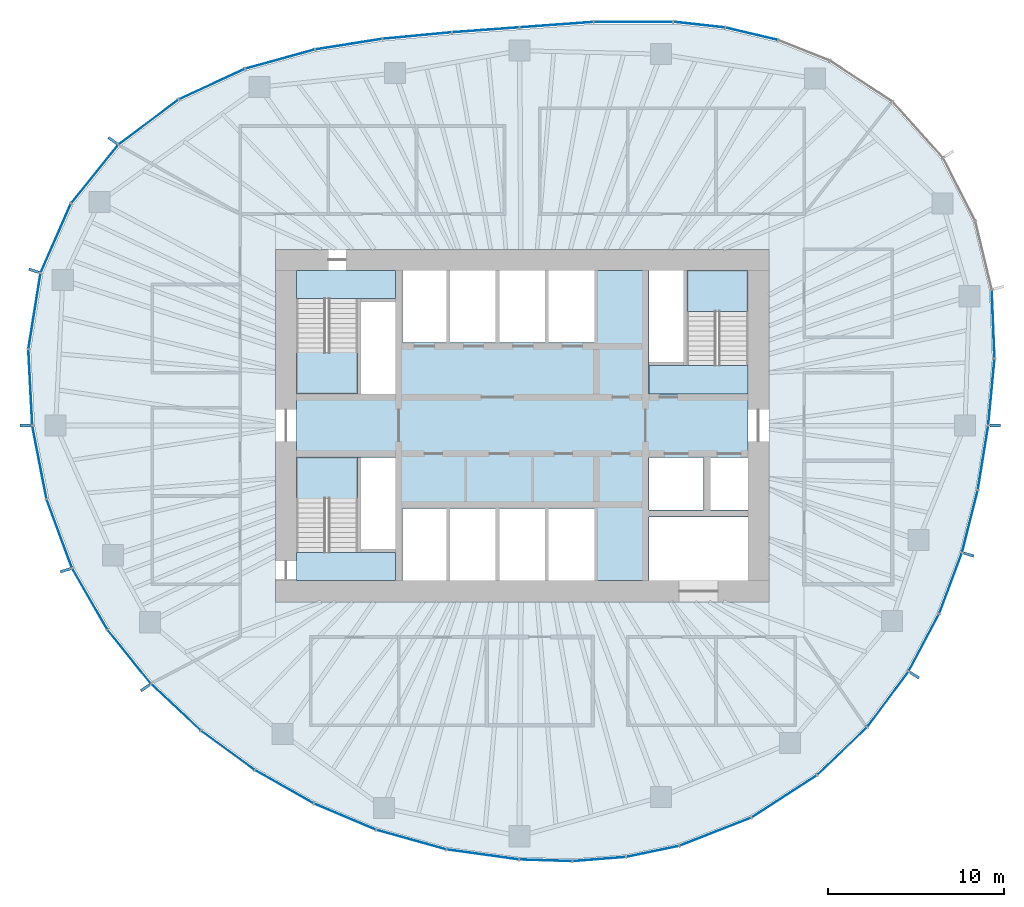
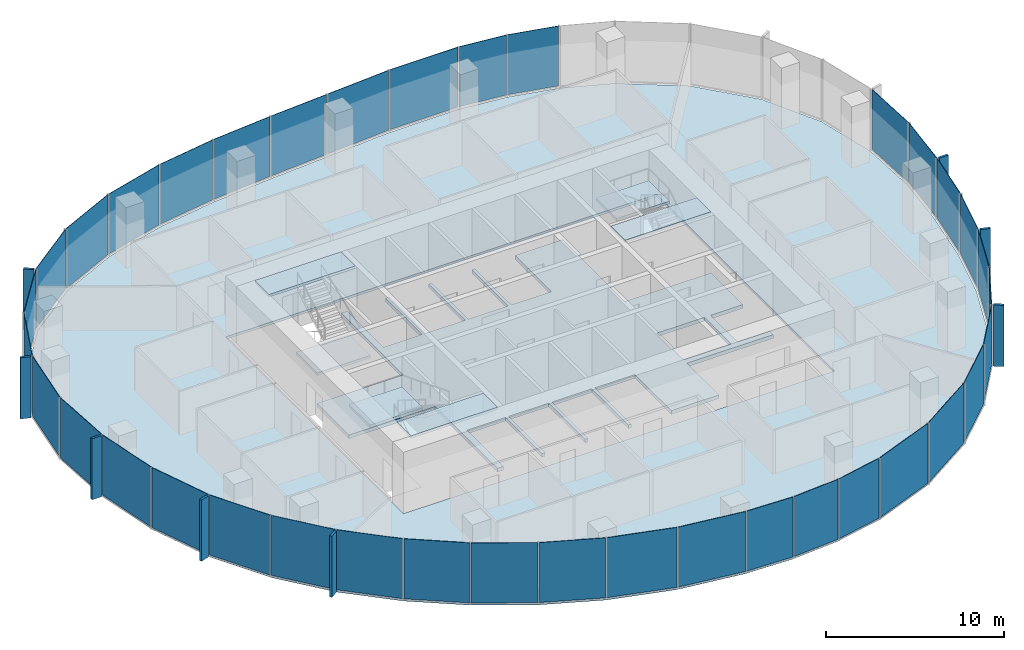
# One storey, part 7 of 12: 45 plates, 8 slabs, 21 elements without a shape of their own.
"""IFC4 building model written with IfcOpenShell, lengths in metres."""

from ifc_helpers import new_model, si_unit, direction, frame, origin, origin_2d, place, context, subcontext, project, spatial, polyline, rectangle, outline, extrude, material, layer, layer_set, type_object, element, aggregate, save


model = new_model("IFC4")

# Units and contexts
model_context = context("Model", 3, precision=1e-05, world=origin(), true_north=direction((0.0, 1.0)))
body_context = subcontext(model_context, "Body", "Model", "MODEL_VIEW")
ifc_project = project(units=[si_unit("LENGTHUNIT", "METRE"), si_unit("AREAUNIT", "SQUARE_METRE"), si_unit("VOLUMEUNIT", "CUBIC_METRE"), si_unit("PLANEANGLEUNIT", "RADIAN"), si_unit("MASSUNIT", "GRAM", prefix="KILO")], contexts=[model_context])

# Site, building, storey
site_placement = place(None, origin())
site = spatial("IfcSite", under=ifc_project, at=site_placement, CompositionType="ELEMENT")
building_placement = place(site_placement, origin())
building = spatial("IfcBuilding", under=site, at=building_placement, Name="Ghaith Harvest Tower", CompositionType="ELEMENT")
storey_placement = place(building_placement, frame((0.0, 0.0, 253.60009765625)))
storey = spatial("IfcBuildingStorey", under=building, at=storey_placement, Name="L56", CompositionType="ELEMENT", Elevation=253.60009765625)

# Curtain wall, plates
ifc_material_1 = material(Name="Black anodised aluminium and fritted glass", Category="aluminium")
curtain_wall_type = type_object("IfcCurtainWallType", Name="CW-H CURTAIN WALL", PredefinedType="NOTDEFINED", material=ifc_material_1)
curtain_wall_1_placement = place(storey_placement, origin())
curtain_wall_1 = element("IfcCurtainWall", 1, at=curtain_wall_1_placement, inside=storey, type_object=curtain_wall_type, Name="Curtain wall CW-H bay 01 L56", PredefinedType="NOTDEFINED")
ifc_material_2 = material(Name="Glass, dark solar-control fritted double glazed unit", Category="glass")
ifc_layer_1 = layer(ifc_material_2, 0.030029296875)
ifc_layer_set_1 = layer_set([ifc_layer_1], Name="CW-H VISION PANEL")
plate_type_1 = type_object("IfcPlateType", Name="CW-H VISION PANEL", PredefinedType="CURTAIN_PANEL", material=ifc_layer_set_1)
plate_1_placement = place(storey_placement, frame((26.624755859375, 1.89794921875, 0.079833984375), z_axis=(0.0, 0.0, 1.0), x_axis=(0.094301909937, 0.995543645343, 0.0)))
plate_1 = element("IfcPlate", 2, at=plate_1_placement, type_object=plate_type_1, Name="CW-H glass unit 1 bay 01 L56", PredefinedType="CURTAIN_PANEL", context=body_context, shape_type="SweptSolid", body=[
    extrude(rectangle(XDim=3.73291015625, YDim=0.030029296875, at=origin_2d()), origin(), (0.0, 0.0, 1.0), 4.1201171875),
])
plate_2_placement = place(storey_placement, frame((26.7255859375, 5.74853515625, 0.079833984375), z_axis=(0.0, 0.0, 1.0), x_axis=(-0.040462173218, 0.999181070947, 0.0)))
plate_2 = element("IfcPlate", 3, at=plate_2_placement, type_object=plate_type_1, Name="CW-H glass unit 2 bay 01 L56", PredefinedType="CURTAIN_PANEL", context=body_context, shape_type="SweptSolid", body=[
    extrude(rectangle(XDim=3.82861328125, YDim=0.030029296875, at=origin_2d()), origin(), (0.0, 0.0, 1.0), 4.1201171875),
])
aggregate(curtain_wall_1, [plate_1, plate_2])

curtain_wall_2_placement = place(storey_placement, origin())
curtain_wall_2 = element("IfcCurtainWall", 4, at=curtain_wall_2_placement, inside=storey, type_object=curtain_wall_type, Name="Curtain wall CW-H bay 04 L56", PredefinedType="NOTDEFINED")
plate_3_placement = place(storey_placement, frame((13.027099609375, 22.225341796875, 0.079833984375), z_axis=(0.0, 0.0, 1.0), x_axis=(-0.973266235028, 0.229679854916, 0.0)))
plate_3 = element("IfcPlate", 5, at=plate_3_placement, type_object=plate_type_1, Name="CW-H glass unit 2 bay 04 L56", PredefinedType="CURTAIN_PANEL", context=body_context, shape_type="SweptSolid", body=[
    extrude(rectangle(XDim=3.00244140625, YDim=0.030029296875, at=origin_2d()), origin(), (0.0, 0.0, 1.0), 4.1201171875),
])
plate_4_placement = place(storey_placement, frame((10.045654296875, 22.744384765625, 0.079833984375), z_axis=(0.0, 0.0, 1.0), x_axis=(-0.993865217442, 0.11059805405, 0.0)))
plate_4 = element("IfcPlate", 6, at=plate_4_placement, type_object=plate_type_1, Name="CW-H glass unit 3 bay 04 L56", PredefinedType="CURTAIN_PANEL", context=body_context, shape_type="SweptSolid", body=[
    extrude(rectangle(XDim=2.901123046875, YDim=0.030029296875, at=origin_2d()), origin(), (0.0, 0.0, 1.0), 4.1201171875),
])
aggregate(curtain_wall_2, [plate_3, plate_4])

curtain_wall_3_placement = place(storey_placement, origin())
curtain_wall_3 = element("IfcCurtainWall", 7, at=curtain_wall_3_placement, inside=storey, type_object=curtain_wall_type, Name="Curtain wall CW-H bay 05 L56", PredefinedType="NOTDEFINED")
plate_5_placement = place(storey_placement, frame((6.31201171875, 22.904296875, 0.079833984375), z_axis=(0.0, 0.0, 1.0), x_axis=(-0.999997643645, -0.002170876291, 0.0)))
plate_5 = element("IfcPlate", 8, at=plate_5_placement, type_object=plate_type_1, Name="CW-H glass unit 1 bay 05 L56", PredefinedType="CURTAIN_PANEL", context=body_context, shape_type="SweptSolid", body=[
    extrude(rectangle(XDim=4.4248046875, YDim=0.030029296875, at=origin_2d()), origin(), (0.0, 0.0, 1.0), 4.1201171875),
])
plate_6_placement = place(storey_placement, frame((1.952392578125, 22.744873046875, 0.079833984375), z_axis=(0.0, 0.0, 1.0), x_axis=(-0.997324570719, -0.073100619976, 0.0)))
plate_6 = element("IfcPlate", 9, at=plate_6_placement, type_object=plate_type_1, Name="CW-H glass unit 2 bay 05 L56", PredefinedType="CURTAIN_PANEL", context=body_context, shape_type="SweptSolid", body=[
    extrude(rectangle(XDim=4.1455078125, YDim=0.030029296875, at=origin_2d()), origin(), (0.0, 0.0, 1.0), 4.1201171875),
])
aggregate(curtain_wall_3, [plate_5, plate_6])

curtain_wall_4_placement = place(storey_placement, origin())
curtain_wall_4 = element("IfcCurtainWall", 10, at=curtain_wall_4_placement, inside=storey, type_object=curtain_wall_type, Name="Curtain wall CW-H bay 06 L56", PredefinedType="NOTDEFINED")
plate_7_placement = place(storey_placement, frame((-2.0693359375, 22.450439453125, 0.079833984375), z_axis=(0.0, 0.0, 1.0), x_axis=(-0.997334393671, -0.072966479985, 0.0)))
plate_7 = element("IfcPlate", 11, at=plate_7_placement, type_object=plate_type_1, Name="CW-H glass unit 1 bay 06 L56", PredefinedType="CURTAIN_PANEL", context=body_context, shape_type="SweptSolid", body=[
    extrude(rectangle(XDim=3.759765625, YDim=0.030029296875, at=origin_2d()), origin(), (0.0, 0.0, 1.0), 4.1201171875),
])
plate_8_placement = place(storey_placement, frame((-5.954345703125, 22.12548828125, 0.079833984375), z_axis=(0.0, 0.0, 1.0), x_axis=(-0.995631991968, -0.093364535934, 0.0)))
plate_8 = element("IfcPlate", 12, at=plate_8_placement, type_object=plate_type_1, Name="CW-H glass unit 2 bay 06 L56", PredefinedType="CURTAIN_PANEL", context=body_context, shape_type="SweptSolid", body=[
    extrude(rectangle(XDim=3.87744140625, YDim=0.030029296875, at=origin_2d()), origin(), (0.0, 0.0, 1.0), 4.1201171875),
])
aggregate(curtain_wall_4, [plate_7, plate_8])

curtain_wall_5_placement = place(storey_placement, origin())
curtain_wall_5 = element("IfcCurtainWall", 13, at=curtain_wall_5_placement, inside=storey, type_object=curtain_wall_type, Name="Curtain wall CW-H bay 07 L56", PredefinedType="NOTDEFINED")
plate_9_placement = place(storey_placement, frame((-9.83837890625, 21.638671875, 0.079833984375), z_axis=(0.0, 0.0, 1.0), x_axis=(-0.98777033338, -0.155915901993, 0.0)))
plate_9 = element("IfcPlate", 14, at=plate_9_placement, type_object=plate_type_1, Name="CW-H glass unit 1 bay 07 L56", PredefinedType="CURTAIN_PANEL", context=body_context, shape_type="SweptSolid", body=[
    extrude(rectangle(XDim=3.795166015625, YDim=0.030029296875, at=origin_2d()), origin(), (0.0, 0.0, 1.0), 4.1201171875),
])
plate_10_placement = place(storey_placement, frame((-13.736572265625, 20.78955078125, 0.079833984375), z_axis=(0.0, 0.0, 1.0), x_axis=(-0.964034113875, -0.26577853052, 0.0)))
plate_10 = element("IfcPlate", 15, at=plate_10_placement, type_object=plate_type_1, Name="CW-H glass unit 2 bay 07 L56", PredefinedType="CURTAIN_PANEL", context=body_context, shape_type="SweptSolid", body=[
    extrude(rectangle(XDim=4.03662109375, YDim=0.030029296875, at=origin_2d()), origin(), (0.0, 0.0, 1.0), 4.1201171875),
])
aggregate(curtain_wall_5, [plate_9, plate_10])

curtain_wall_6_placement = place(storey_placement, origin())
curtain_wall_6 = element("IfcCurtainWall", 16, at=curtain_wall_6_placement, inside=storey, type_object=curtain_wall_type, Name="Curtain wall CW-H bay 08 L56", PredefinedType="NOTDEFINED")
plate_11_placement = place(storey_placement, frame((-17.608154296875, 19.370849609375, 0.079833984375), z_axis=(0.0, 0.0, 1.0), x_axis=(-0.907814470414, -0.419372015408, 0.0)))
plate_11 = element("IfcPlate", 17, at=plate_11_placement, type_object=plate_type_1, Name="CW-H glass unit 1 bay 08 L56", PredefinedType="CURTAIN_PANEL", context=body_context, shape_type="SweptSolid", body=[
    extrude(rectangle(XDim=4.077392578125, YDim=0.030029296875, at=origin_2d()), origin(), (0.0, 0.0, 1.0), 4.1201171875),
])
plate_12_placement = place(storey_placement, frame((-21.20166015625, 17.219482421875, 0.079833984375), z_axis=(0.0, 0.0, 1.0), x_axis=(-0.800067053187, -0.599910585341, 0.0)))
plate_12 = element("IfcPlate", 18, at=plate_12_placement, type_object=plate_type_1, Name="CW-H glass unit 2 bay 08 L56", PredefinedType="CURTAIN_PANEL", context=body_context, shape_type="SweptSolid", body=[
    extrude(rectangle(XDim=4.18603515625, YDim=0.030029296875, at=origin_2d()), origin(), (0.0, 0.0, 1.0), 4.1201171875),
])
aggregate(curtain_wall_6, [plate_11, plate_12])

curtain_wall_7_placement = place(storey_placement, origin())
curtain_wall_7 = element("IfcCurtainWall", 19, at=curtain_wall_7_placement, inside=storey, type_object=curtain_wall_type, Name="Curtain wall CW-H bay 09 L56", PredefinedType="NOTDEFINED")
plate_13_placement = place(storey_placement, frame((-24.25390625, 14.270263671875, 0.079833984375), z_axis=(0.0, 0.0, 1.0), x_axis=(-0.627547637499, -0.778578167347, 0.0)))
plate_13 = element("IfcPlate", 20, at=plate_13_placement, type_object=plate_type_1, Name="CW-H glass unit 1 bay 09 L56", PredefinedType="CURTAIN_PANEL", context=body_context, shape_type="SweptSolid", body=[
    extrude(rectangle(XDim=4.208740234375, YDim=0.030029296875, at=origin_2d()), origin(), (0.0, 0.0, 1.0), 4.1201171875),
])
plate_14_placement = place(storey_placement, frame((-26.462646484375, 10.63037109375, 0.079833984375), z_axis=(0.0, 0.0, 1.0), x_axis=(-0.40121291108, -0.915984825192, 0.0)))
plate_14 = element("IfcPlate", 21, at=plate_14_placement, type_object=plate_type_1, Name="CW-H glass unit 2 bay 09 L56", PredefinedType="CURTAIN_PANEL", context=body_context, shape_type="SweptSolid", body=[
    extrude(rectangle(XDim=4.22216796875, YDim=0.030029296875, at=origin_2d()), origin(), (0.0, 0.0, 1.0), 4.1201171875),
])
aggregate(curtain_wall_7, [plate_13, plate_14])

curtain_wall_8_placement = place(storey_placement, origin())
curtain_wall_8 = element("IfcCurtainWall", 22, at=curtain_wall_8_placement, inside=storey, type_object=curtain_wall_type, Name="Curtain wall CW-H bay 10 L56", PredefinedType="NOTDEFINED")
plate_15_placement = place(storey_placement, frame((-27.670654296875, 6.49658203125, 0.079833984375), z_axis=(0.0, 0.0, 1.0), x_axis=(-0.157514341695, -0.987516699687, 0.0)))
plate_15 = element("IfcPlate", 23, at=plate_15_placement, type_object=plate_type_1, Name="CW-H glass unit 1 bay 10 L56", PredefinedType="CURTAIN_PANEL", context=body_context, shape_type="SweptSolid", body=[
    extrude(rectangle(XDim=4.301513671875, YDim=0.030029296875, at=origin_2d()), origin(), (0.0, 0.0, 1.0), 4.1201171875),
])
plate_16_placement = place(storey_placement, frame((-27.905517578125, 2.16650390625, 0.079833984375), z_axis=(0.0, 0.0, 1.0), x_axis=(0.050894857592, -0.998704016949, 0.0)))
plate_16 = element("IfcPlate", 24, at=plate_16_placement, type_object=plate_type_1, Name="CW-H glass unit 2 bay 10 L56", PredefinedType="CURTAIN_PANEL", context=body_context, shape_type="SweptSolid", body=[
    extrude(rectangle(XDim=4.2587890625, YDim=0.030029296875, at=origin_2d()), origin(), (0.0, 0.0, 1.0), 4.1201171875),
])
aggregate(curtain_wall_8, [plate_15, plate_16])

curtain_wall_9_placement = place(storey_placement, origin())
curtain_wall_9 = element("IfcCurtainWall", 25, at=curtain_wall_9_placement, inside=storey, type_object=curtain_wall_type, Name="Curtain wall CW-H bay 11 L56", PredefinedType="NOTDEFINED")
plate_17_placement = place(storey_placement, frame((-27.39013671875, -2.0869140625, 0.079833984375), z_axis=(0.0, 0.0, 1.0), x_axis=(0.190426809322, -0.981701395686, 0.0)))
plate_17 = element("IfcPlate", 26, at=plate_17_placement, type_object=plate_type_1, Name="CW-H glass unit 1 bay 11 L56", PredefinedType="CURTAIN_PANEL", context=body_context, shape_type="SweptSolid", body=[
    extrude(rectangle(XDim=4.171630859375, YDim=0.030029296875, at=origin_2d()), origin(), (0.0, 0.0, 1.0), 4.1201171875),
])
plate_18_placement = place(storey_placement, frame((-26.261962890625, -6.1337890625, 0.079833984375), z_axis=(0.0, 0.0, 1.0), x_axis=(0.346303431688, -0.938122557666, 0.0)))
plate_18 = element("IfcPlate", 27, at=plate_18_placement, type_object=plate_type_1, Name="CW-H glass unit 2 bay 11 L56", PredefinedType="CURTAIN_PANEL", context=body_context, shape_type="SweptSolid", body=[
    extrude(rectangle(XDim=4.098388671875, YDim=0.030029296875, at=origin_2d()), origin(), (0.0, 0.0, 1.0), 4.1201171875),
])
aggregate(curtain_wall_9, [plate_17, plate_18])

curtain_wall_10_placement = place(storey_placement, origin())
curtain_wall_10 = element("IfcCurtainWall", 28, at=curtain_wall_10_placement, inside=storey, type_object=curtain_wall_type, Name="Curtain wall CW-H bay 12 L56", PredefinedType="NOTDEFINED")
plate_19_placement = place(storey_placement, frame((-24.535888671875, -9.838623046875, 0.079833984375), z_axis=(0.0, 0.0, 1.0), x_axis=(0.49818018945, -0.867073525625, 0.0)))
plate_19 = element("IfcPlate", 29, at=plate_19_placement, type_object=plate_type_1, Name="CW-H glass unit 1 bay 12 L56", PredefinedType="CURTAIN_PANEL", context=body_context, shape_type="SweptSolid", body=[
    extrude(rectangle(XDim=3.945068359375, YDim=0.030029296875, at=origin_2d()), origin(), (0.0, 0.0, 1.0), 4.1201171875),
])
plate_20_placement = place(storey_placement, frame((-22.29736328125, -13.119140625, 0.079833984375), z_axis=(0.0, 0.0, 1.0), x_axis=(0.626957061695, -0.779053812513, 0.0)))
plate_20 = element("IfcPlate", 30, at=plate_20_placement, type_object=plate_type_1, Name="CW-H glass unit 2 bay 12 L56", PredefinedType="CURTAIN_PANEL", context=body_context, shape_type="SweptSolid", body=[
    extrude(rectangle(XDim=3.8623046875, YDim=0.030029296875, at=origin_2d()), origin(), (0.0, 0.0, 1.0), 4.1201171875),
])
aggregate(curtain_wall_10, [plate_19, plate_20])

curtain_wall_11_placement = place(storey_placement, origin())
curtain_wall_11 = element("IfcCurtainWall", 31, at=curtain_wall_11_placement, inside=storey, type_object=curtain_wall_type, Name="Curtain wall CW-H bay 13 L56", PredefinedType="NOTDEFINED")
plate_21_placement = place(storey_placement, frame((-19.649658203125, -15.98046875, 0.079833984375), z_axis=(0.0, 0.0, 1.0), x_axis=(0.729016864325, -0.684495735217, 0.0)))
plate_21 = element("IfcPlate", 32, at=plate_21_placement, type_object=plate_type_1, Name="CW-H glass unit 1 bay 13 L56", PredefinedType="CURTAIN_PANEL", context=body_context, shape_type="SweptSolid", body=[
    extrude(rectangle(XDim=3.793212890625, YDim=0.030029296875, at=origin_2d()), origin(), (0.0, 0.0, 1.0), 4.1201171875),
])
plate_22_placement = place(storey_placement, frame((-16.707763671875, -18.42431640625, 0.079833984375), z_axis=(0.0, 0.0, 1.0), x_axis=(0.80736351134, -0.590054370848, 0.0)))
plate_22 = element("IfcPlate", 33, at=plate_22_placement, type_object=plate_type_1, Name="CW-H glass unit 2 bay 13 L56", PredefinedType="CURTAIN_PANEL", context=body_context, shape_type="SweptSolid", body=[
    extrude(rectangle(XDim=3.710693359375, YDim=0.030029296875, at=origin_2d()), origin(), (0.0, 0.0, 1.0), 4.1201171875),
])
aggregate(curtain_wall_11, [plate_21, plate_22])

curtain_wall_12_placement = place(storey_placement, origin())
curtain_wall_12 = element("IfcCurtainWall", 34, at=curtain_wall_12_placement, inside=storey, type_object=curtain_wall_type, Name="Curtain wall CW-H bay 14 L56", PredefinedType="NOTDEFINED")
plate_23_placement = place(storey_placement, frame((-13.496337890625, -20.496826171875, 0.079833984375), z_axis=(0.0, 0.0, 1.0), x_axis=(0.869715300233, -0.493553742303, 0.0)))
plate_23 = element("IfcPlate", 35, at=plate_23_placement, type_object=plate_type_1, Name="CW-H glass unit 1 bay 14 L56", PredefinedType="CURTAIN_PANEL", context=body_context, shape_type="SweptSolid", body=[
    extrude(rectangle(XDim=3.785888671875, YDim=0.030029296875, at=origin_2d()), origin(), (0.0, 0.0, 1.0), 4.1201171875),
])
plate_24_placement = place(storey_placement, frame((-10.050537109375, -22.1962890625, 0.079833984375), z_axis=(0.0, 0.0, 1.0), x_axis=(0.921181516072, -0.389133157734, 0.0)))
plate_24 = element("IfcPlate", 36, at=plate_24_placement, type_object=plate_type_1, Name="CW-H glass unit 2 bay 14 L56", PredefinedType="CURTAIN_PANEL", context=body_context, shape_type="SweptSolid", body=[
    extrude(rectangle(XDim=3.751220703125, YDim=0.030029296875, at=origin_2d()), origin(), (0.0, 0.0, 1.0), 4.1201171875),
])
aggregate(curtain_wall_12, [plate_23, plate_24])

curtain_wall_13_placement = place(storey_placement, origin())
curtain_wall_13 = element("IfcCurtainWall", 37, at=curtain_wall_13_placement, inside=storey, type_object=curtain_wall_type, Name="Curtain wall CW-H bay 15 L56", PredefinedType="NOTDEFINED")
plate_25_placement = place(storey_placement, frame((-6.291015625, -23.49853515625, 0.079833984375), z_axis=(0.0, 0.0, 1.0), x_axis=(0.963162861349, -0.268918765647, 0.0)))
plate_25 = element("IfcPlate", 38, at=plate_25_placement, type_object=plate_type_1, Name="CW-H glass unit 1 bay 15 L56", PredefinedType="CURTAIN_PANEL", context=body_context, shape_type="SweptSolid", body=[
    extrude(rectangle(XDim=4.062744140625, YDim=0.030029296875, at=origin_2d()), origin(), (0.0, 0.0, 1.0), 4.1201171875),
])
plate_26_placement = place(storey_placement, frame((-2.232177734375, -24.34033203125, 0.079833984375), z_axis=(0.0, 0.0, 1.0), x_axis=(0.990612268407, -0.136701622823, 0.0)))
plate_26 = element("IfcPlate", 39, at=plate_26_placement, type_object=plate_type_1, Name="CW-H glass unit 2 bay 15 L56", PredefinedType="CURTAIN_PANEL", context=body_context, shape_type="SweptSolid", body=[
    extrude(rectangle(XDim=4.08642578125, YDim=0.030029296875, at=origin_2d()), origin(), (0.0, 0.0, 1.0), 4.1201171875),
])
aggregate(curtain_wall_13, [plate_25, plate_26])

curtain_wall_14_placement = place(storey_placement, origin())
curtain_wall_14 = element("IfcCurtainWall", 40, at=curtain_wall_14_placement, inside=storey, type_object=curtain_wall_type, Name="Curtain wall CW-H bay 16 L56", PredefinedType="NOTDEFINED")
plate_27_placement = place(storey_placement, frame((1.339599609375, -24.67333984375, 0.079833984375), z_axis=(0.0, 0.0, 1.0), x_axis=(0.99949125523, -0.031894054587, 0.0)))
plate_27 = element("IfcPlate", 41, at=plate_27_placement, type_object=plate_type_1, Name="CW-H glass unit 1 bay 16 L56", PredefinedType="CURTAIN_PANEL", context=body_context, shape_type="SweptSolid", body=[
    extrude(rectangle(XDim=2.937744140625, YDim=0.030029296875, at=origin_2d()), origin(), (0.0, 0.0, 1.0), 4.1201171875),
])
plate_28_placement = place(storey_placement, frame((4.37060546875, -24.60205078125, 0.079833984375), z_axis=(0.0, 0.0, 1.0), x_axis=(0.996945418782, 0.078101421048, 0.0)))
plate_28 = element("IfcPlate", 42, at=plate_28_placement, type_object=plate_type_1, Name="CW-H glass unit 2 bay 16 L56", PredefinedType="CURTAIN_PANEL", context=body_context, shape_type="SweptSolid", body=[
    extrude(rectangle(XDim=2.974853515625, YDim=0.030029296875, at=origin_2d()), origin(), (0.0, 0.0, 1.0), 4.1201171875),
])
plate_29_placement = place(storey_placement, frame((7.40478515625, -24.16650390625, 0.079833984375), z_axis=(0.0, 0.0, 1.0), x_axis=(0.978788872874, 0.204871526422, 0.0)))
plate_29 = element("IfcPlate", 43, at=plate_29_placement, type_object=plate_type_1, Name="CW-H glass unit 3 bay 16 L56", PredefinedType="CURTAIN_PANEL", context=body_context, shape_type="SweptSolid", body=[
    extrude(rectangle(XDim=3.00830078125, YDim=0.030029296875, at=origin_2d()), origin(), (0.0, 0.0, 1.0), 4.1201171875),
])
aggregate(curtain_wall_14, [plate_27, plate_28, plate_29])

curtain_wall_15_placement = place(storey_placement, origin())
curtain_wall_15 = element("IfcCurtainWall", 44, at=curtain_wall_15_placement, inside=storey, type_object=curtain_wall_type, Name="Curtain wall CW-H bay 17 L56", PredefinedType="NOTDEFINED")
plate_30_placement = place(storey_placement, frame((10.963134765625, -23.048583984375, 0.079833984375), z_axis=(0.0, 0.0, 1.0), x_axis=(0.931161161765, 0.364607858966, 0.0)))
plate_30 = element("IfcPlate", 45, at=plate_30_placement, type_object=plate_type_1, Name="CW-H glass unit 1 bay 17 L56", PredefinedType="CURTAIN_PANEL", context=body_context, shape_type="SweptSolid", body=[
    extrude(rectangle(XDim=4.316650390625, YDim=0.030029296875, at=origin_2d()), origin(), (0.0, 0.0, 1.0), 4.1201171875),
])
plate_31_placement = place(storey_placement, frame((14.869384765625, -21.042724609375, 0.079833984375), z_axis=(0.0, 0.0, 1.0), x_axis=(0.839305300126, 0.543660384045, 0.0)))
plate_31 = element("IfcPlate", 46, at=plate_31_placement, type_object=plate_type_1, Name="CW-H glass unit 2 bay 17 L56", PredefinedType="CURTAIN_PANEL", context=body_context, shape_type="SweptSolid", body=[
    extrude(rectangle(XDim=4.35107421875, YDim=0.030029296875, at=origin_2d()), origin(), (0.0, 0.0, 1.0), 4.1201171875),
])
aggregate(curtain_wall_15, [plate_30, plate_31])

curtain_wall_16_placement = place(storey_placement, origin())
curtain_wall_16 = element("IfcCurtainWall", 47, at=curtain_wall_16_placement, inside=storey, type_object=curtain_wall_type, Name="Curtain wall CW-H bay 18 L56", PredefinedType="NOTDEFINED")
plate_32_placement = place(storey_placement, frame((18.151611328125, -18.47705078125, 0.079833984375), z_axis=(0.0, 0.0, 1.0), x_axis=(0.722532585058, 0.691336866896, 0.0)))
plate_32 = element("IfcPlate", 48, at=plate_32_placement, type_object=plate_type_1, Name="CW-H glass unit 1 bay 18 L56", PredefinedType="CURTAIN_PANEL", context=body_context, shape_type="SweptSolid", body=[
    extrude(rectangle(XDim=3.85791015625, YDim=0.030029296875, at=origin_2d()), origin(), (0.0, 0.0, 1.0), 4.1201171875),
])
plate_33_placement = place(storey_placement, frame((20.74853515625, -15.53369140625, 0.079833984375), z_axis=(0.0, 0.0, 1.0), x_axis=(0.596018639888, 0.802970597784, 0.0)))
plate_33 = element("IfcPlate", 49, at=plate_33_placement, type_object=plate_type_1, Name="CW-H glass unit 2 bay 18 L56", PredefinedType="CURTAIN_PANEL", context=body_context, shape_type="SweptSolid", body=[
    extrude(rectangle(XDim=3.8603515625, YDim=0.030029296875, at=origin_2d()), origin(), (0.0, 0.0, 1.0), 4.1201171875),
])
aggregate(curtain_wall_16, [plate_32, plate_33])

curtain_wall_17_placement = place(storey_placement, origin())
curtain_wall_17 = element("IfcCurtainWall", 50, at=curtain_wall_17_placement, inside=storey, type_object=curtain_wall_type, Name="Curtain wall CW-H bay 19 L56", PredefinedType="NOTDEFINED")
plate_34_placement = place(storey_placement, frame((22.79052734375, -12.316162109375, 0.079833984375), z_axis=(0.0, 0.0, 1.0), x_axis=(0.46864379564, 0.883387226989, 0.0)))
plate_34 = element("IfcPlate", 51, at=plate_34_placement, type_object=plate_type_1, Name="CW-H glass unit 1 bay 19 L56", PredefinedType="CURTAIN_PANEL", context=body_context, shape_type="SweptSolid", body=[
    extrude(rectangle(XDim=3.623291015625, YDim=0.030029296875, at=origin_2d()), origin(), (0.0, 0.0, 1.0), 4.1201171875),
])
plate_35_placement = place(storey_placement, frame((24.30712890625, -8.946533203125, 0.079833984375), z_axis=(0.0, 0.0, 1.0), x_axis=(0.350480749824, 0.936569935457, 0.0)))
plate_35 = element("IfcPlate", 52, at=plate_35_placement, type_object=plate_type_1, Name="CW-H glass unit 2 bay 19 L56", PredefinedType="CURTAIN_PANEL", context=body_context, shape_type="SweptSolid", body=[
    extrude(rectangle(XDim=3.62255859375, YDim=0.030029296875, at=origin_2d()), origin(), (0.0, 0.0, 1.0), 4.1201171875),
])
aggregate(curtain_wall_17, [plate_34, plate_35])

curtain_wall_18_placement = place(storey_placement, origin())
curtain_wall_18 = element("IfcCurtainWall", 53, at=curtain_wall_18_placement, inside=storey, type_object=curtain_wall_type, Name="Curtain wall CW-H bay 20 L56", PredefinedType="NOTDEFINED")
plate_36_placement = place(storey_placement, frame((25.404541015625, -5.43701171875, 0.079833984375), z_axis=(0.0, 0.0, 1.0), x_axis=(0.244925945134, 0.969541789404, 0.0)))
plate_36 = element("IfcPlate", 54, at=plate_36_placement, type_object=plate_type_1, Name="CW-H glass unit 1 bay 20 L56", PredefinedType="CURTAIN_PANEL", context=body_context, shape_type="SweptSolid", body=[
    extrude(rectangle(XDim=3.583251953125, YDim=0.030029296875, at=origin_2d()), origin(), (0.0, 0.0, 1.0), 4.1201171875),
])
plate_37_placement = place(storey_placement, frame((26.14892578125, -1.83056640625, 0.079833984375), z_axis=(0.0, 0.0, 1.0), x_axis=(0.159600748097, 0.987181645497, 0.0)))
plate_37 = element("IfcPlate", 55, at=plate_37_placement, type_object=plate_type_1, Name="CW-H glass unit 2 bay 20 L56", PredefinedType="CURTAIN_PANEL", context=body_context, shape_type="SweptSolid", body=[
    extrude(rectangle(XDim=3.628662109375, YDim=0.030029296875, at=origin_2d()), origin(), (0.0, 0.0, 1.0), 4.1201171875),
])
aggregate(curtain_wall_18, [plate_36, plate_37])

# Slabs
ifc_material_3 = material(Name="Concrete C40/50", Category="concrete")
ifc_layer_2 = layer(ifc_material_3, 0.169921875)
ifc_layer_set_2 = layer_set([ifc_layer_2], Name="FLOOR SLAB 170")
slab_type_1 = type_object("IfcSlabType", Name="FLOOR SLAB 170", PredefinedType="FLOOR", material=ifc_layer_set_2)
slab_1_placement = place(storey_placement, frame((0.0, 0.0, -0.170166015625)))
element("IfcSlab", 56, at=slab_1_placement, inside=storey, type_object=slab_type_1, Name="Floor slab L56", PredefinedType="FLOOR", context=body_context, shape_type="SweptSolid", body=[
    extrude(outline(polyline([(26.324951171875, 0.0), (26.685791015625, 3.779052734375), (26.531005859375, 7.668212890625), (25.597900390625, 11.55615234375), (23.77294921875, 15.12939453125), (20.923095703125, 18.295166015625), (17.382080078125, 20.612548828125), (14.460693359375, 21.771484375), (11.47265625, 22.47265625), (8.522216796875, 22.796875), (4.03857421875, 22.78125), (-0.15380859375, 22.470458984375), (-3.963134765625, 22.192138671875), (-7.8837890625, 21.827880859375), (-11.694580078125, 21.2314453125), (-15.6474609375, 20.147705078125), (-19.408203125, 18.41650390625), (-22.809814453125, 15.87109375), (-25.491943359375, 12.547607421875), (-27.211181640625, 8.623779296875), (-27.897216796875, 4.314697265625), (-27.675048828125, 0.0), (-26.86669921875, -4.155517578125), (-25.424072265625, -8.057373046875), (-23.425537109375, -11.530517578125), (-20.963134765625, -14.586181640625), (-18.15087890625, -17.223388671875), (-15.10400390625, -19.447998046875), (-11.75732421875, -21.345703125), (-8.2451171875, -22.82861328125), (-4.27490234375, -23.9375), (-0.167724609375, -24.505126953125), (2.833984375, -24.602294921875), (5.865234375, -24.3662109375), (8.8740234375, -23.73779296875), (12.949462890625, -22.1435546875), (16.651611328125, -19.746337890625), (19.48388671875, -17.036865234375), (21.821533203125, -13.887451171875), (23.548828125, -10.631103515625), (24.840576171875, -7.179443359375), (25.734375, -3.644287109375), (26.324951171875, 0.0)]), holes=[polyline([(-14.0, -10.0), (14.0, -10.0), (14.0, 10.0), (-14.0, 10.0), (-14.0, -10.0)])]), origin(), (0.0, 0.0, 1.0), 0.170166015625),
])
ifc_material_4 = material(Name="Concrete C40/50", Category="concrete")
ifc_layer_3 = layer(ifc_material_4, 0.25)
ifc_layer_set_3 = layer_set([ifc_layer_3], Name="FLOOR SLAB 250")
slab_type_2 = type_object("IfcSlabType", Name="FLOOR SLAB 250", PredefinedType="FLOOR", material=ifc_layer_set_3)
slab_2_placement = place(storey_placement, frame((0.0, 0.0, -0.25)))
element("IfcSlab", 57, at=slab_2_placement, inside=storey, type_object=slab_type_2, Name="Core slab L56", PredefinedType="FLOOR", context=body_context, shape_type="SweptSolid", body=[
    extrude(outline(polyline([(-12.800048828125, 1.800048828125), (-7.199951171875, 1.800048828125), (-7.199951171875, 8.800048828125), (-6.800048828125, 8.800048828125), (-6.800048828125, 4.699951171875), (-4.300048828125, 4.699951171875), (-4.300048828125, 8.800048828125), (-4.10009765625, 8.800048828125), (-4.10009765625, 4.699951171875), (-1.5, 4.699951171875), (-1.5, 8.800048828125), (-1.300048828125, 8.800048828125), (-1.300048828125, 4.699951171875), (1.300048828125, 4.699951171875), (1.300048828125, 8.800048828125), (1.5, 8.800048828125), (1.5, 4.699951171875), (4.10009765625, 4.699951171875), (4.10009765625, 8.800048828125), (7.199951171875, 8.800048828125), (7.199951171875, 1.800048828125), (12.800048828125, 1.800048828125), (12.800048828125, -1.800048828125), (10.699951171875, -1.800048828125), (10.699951171875, -4.800048828125), (12.800048828125, -4.800048828125), (12.800048828125, -5.199951171875), (7.199951171875, -5.199951171875), (7.199951171875, -8.800048828125), (4.10009765625, -8.800048828125), (4.10009765625, -4.699951171875), (1.5, -4.699951171875), (1.5, -8.800048828125), (1.300048828125, -8.800048828125), (1.300048828125, -4.699951171875), (-1.300048828125, -4.699951171875), (-1.300048828125, -8.800048828125), (-1.5, -8.800048828125), (-1.5, -4.699951171875), (-4.10009765625, -4.699951171875), (-4.10009765625, -8.800048828125), (-4.300048828125, -8.800048828125), (-4.300048828125, -4.699951171875), (-6.800048828125, -4.699951171875), (-6.800048828125, -8.800048828125), (-7.199951171875, -8.800048828125), (-7.199951171875, -1.800048828125), (-12.800048828125, -1.800048828125), (-12.800048828125, 1.800048828125)]), holes=[polyline([(10.300048828125, -4.800048828125), (10.300048828125, -1.800048828125), (7.199951171875, -1.800048828125), (7.199951171875, -4.800048828125), (10.300048828125, -4.800048828125)])]), origin(), (0.0, 0.0, 1.0), 0.25),
])

# Stair, slabs
ifc_material_5 = material(Name="Concrete C40/50, precast", Category="concrete")
stair_type = type_object("IfcStairType", Name="CORE STAIR 24R", PredefinedType="HALF_TURN_STAIR", material=ifc_material_5)
stair_1_placement = place(storey_placement, origin())
stair_1 = element("IfcStair", 58, at=stair_1_placement, inside=storey, type_object=stair_type, Name="Stair ST1 L56", PredefinedType="HALF_TURN_STAIR")
ifc_material_6 = material(Name="Concrete C40/50, precast", Category="concrete")
ifc_layer_4 = layer(ifc_material_6, 0.179931640625)
ifc_layer_set_4 = layer_set([ifc_layer_4], Name="STAIR LANDING 180")
slab_type_3 = type_object("IfcSlabType", Name="STAIR LANDING 180", PredefinedType="LANDING", material=ifc_layer_set_4)
slab_3_placement = place(storey_placement, frame((0.0, 0.0, 1.919921875)))
slab_3 = element("IfcSlab", 59, at=slab_3_placement, type_object=slab_type_3, Name="ST1 landing 1", PredefinedType="LANDING", context=body_context, shape_type="SweptSolid", body=[
    extrude(outline(polyline([(-12.800048828125, 4.139892578125), (-12.800048828125, 1.77490234375), (-9.35009765625, 1.77490234375), (-9.35009765625, 4.139892578125), (-12.800048828125, 4.139892578125)])), origin(), (0.0, 0.0, 1.0), 0.179931640625),
])
slab_4_placement = place(storey_placement, frame((0.0, 0.0, 4.02001953125)))
slab_4 = element("IfcSlab", 60, at=slab_4_placement, type_object=slab_type_3, Name="ST1 landing 2", PredefinedType="LANDING", context=body_context, shape_type="SweptSolid", body=[
    extrude(outline(polyline([(-12.800048828125, 8.800048828125), (-12.800048828125, 7.199951171875), (-7.199951171875, 7.199951171875), (-7.199951171875, 8.800048828125), (-12.800048828125, 8.800048828125)])), origin(), (0.0, 0.0, 1.0), 0.179931640625),
])
aggregate(stair_1, [slab_3, slab_4])

stair_2_placement = place(storey_placement, origin())
stair_2 = element("IfcStair", 61, at=stair_2_placement, inside=storey, type_object=stair_type, Name="Stair ST3 L56", PredefinedType="HALF_TURN_STAIR")
slab_5_placement = place(storey_placement, frame((0.0, 0.0, 1.919921875)))
slab_5 = element("IfcSlab", 62, at=slab_5_placement, type_object=slab_type_3, Name="ST3 landing 1", PredefinedType="LANDING", context=body_context, shape_type="SweptSolid", body=[
    extrude(outline(polyline([(-12.800048828125, -4.139892578125), (-12.800048828125, -1.77490234375), (-9.35009765625, -1.77490234375), (-9.35009765625, -4.139892578125), (-12.800048828125, -4.139892578125)])), origin(), (0.0, 0.0, 1.0), 0.179931640625),
])
slab_6_placement = place(storey_placement, frame((0.0, 0.0, 4.02001953125)))
slab_6 = element("IfcSlab", 63, at=slab_6_placement, type_object=slab_type_3, Name="ST3 landing 2", PredefinedType="LANDING", context=body_context, shape_type="SweptSolid", body=[
    extrude(outline(polyline([(-12.800048828125, -8.800048828125), (-12.800048828125, -7.199951171875), (-7.199951171875, -7.199951171875), (-7.199951171875, -8.800048828125), (-12.800048828125, -8.800048828125)])), origin(), (0.0, 0.0, 1.0), 0.179931640625),
])
aggregate(stair_2, [slab_5, slab_6])

stair_3_placement = place(storey_placement, origin())
stair_3 = element("IfcStair", 64, at=stair_3_placement, inside=storey, type_object=stair_type, Name="Stair ST2 L56", PredefinedType="HALF_TURN_STAIR")
slab_7_placement = place(storey_placement, frame((0.0, 0.0, 1.919921875)))
slab_7 = element("IfcSlab", 65, at=slab_7_placement, type_object=slab_type_3, Name="ST2 landing 1", PredefinedType="LANDING", context=body_context, shape_type="SweptSolid", body=[
    extrude(outline(polyline([(12.800048828125, 6.4599609375), (12.800048828125, 8.800048828125), (9.35009765625, 8.800048828125), (9.35009765625, 6.4599609375), (12.800048828125, 6.4599609375)])), origin(), (0.0, 0.0, 1.0), 0.179931640625),
])
slab_8_placement = place(storey_placement, frame((0.0, 0.0, 4.02001953125)))
slab_8 = element("IfcSlab", 66, at=slab_8_placement, type_object=slab_type_3, Name="ST2 landing 2", PredefinedType="LANDING", context=body_context, shape_type="SweptSolid", body=[
    extrude(outline(polyline([(12.800048828125, 1.800048828125), (12.800048828125, 3.39990234375), (7.199951171875, 3.39990234375), (7.199951171875, 1.800048828125), (12.800048828125, 1.800048828125)])), origin(), (0.0, 0.0, 1.0), 0.179931640625),
])
aggregate(stair_3, [slab_7, slab_8])

# Plates
ifc_material_7 = material(Name="Glassfibre-reinforced concrete", Category="concrete")
ifc_layer_5 = layer(ifc_material_7, 0.14990234375)
ifc_layer_set_5 = layer_set([ifc_layer_5], Name="SUN-BREAKER FIN 600x150")
plate_type_2 = type_object("IfcPlateType", Name="SUN-BREAKER FIN 600x150", PredefinedType="USERDEFINED", material=ifc_layer_set_5)
for number, where, z_axis, x_axis, name in (
    (67, (26.844970703125, 0.0, 0.0), (0.0, 0.0, 1.0), (1.0, 0.0, 0.0), "Sun-breaker fin CW-H 1 bay 01 L56"),
    (68, (-23.236572265625, 16.168212890625, 0.0), (0.0, 0.0, 1.0), (-0.820845486523, 0.571150319316, 0.0), "Sun-breaker fin CW-H 1 bay 09 L56"),
    (69, (-27.70703125, 8.78076171875, 0.0), (0.0, 0.0, 1.0), (-0.953273219358, 0.302109531884, 0.0), "Sun-breaker fin CW-H 1 bay 10 L56"),
    (70, (-28.195068359375, 0.0, 0.0), (0.0, 0.0, 1.0), (-1.0, -4.19e-10, 0.0), "Sun-breaker fin CW-H 1 bay 11 L56"),
    (71, (-25.919677734375, -8.21435546875, 0.0), (0.0, 0.0, 1.0), (-0.953273219416, -0.302109531701, 0.0), "Sun-breaker fin CW-H 1 bay 12 L56"),
    (72, (-21.389892578125, -14.88330078125, 0.0), (0.0, 0.0, 1.0), (-0.820845486622, -0.571150319173, 0.0), "Sun-breaker fin CW-H 1 bay 13 L56"),
    (73, (22.26025390625, -14.16650390625, 0.0), (0.0, 0.0, 1.0), (0.84364397137, -0.536903016913, 0.0), "Sun-breaker fin CW-H 1 bay 19 L56"),
    (74, (25.340087890625, -7.32373046875, 0.0), (0.0, 0.0, 1.0), (0.960680349932, -0.277656739976, 0.0), "Sun-breaker fin CW-H 1 bay 20 L56"),
):
    element("IfcPlate", number, at=place(storey_placement, frame(where, z_axis=z_axis, x_axis=x_axis)), inside=storey, type_object=plate_type_2, Name=name, ObjectType="SUN-BREAKER FIN", PredefinedType="USERDEFINED", context=body_context, shape_type="SweptSolid", body=[
        extrude(rectangle(XDim=0.60009765625, YDim=0.14990234375, at=origin_2d()), origin(), (0.0, 0.0, 1.0), 4.199951171875),
    ])

save(model, "model.ifc")
